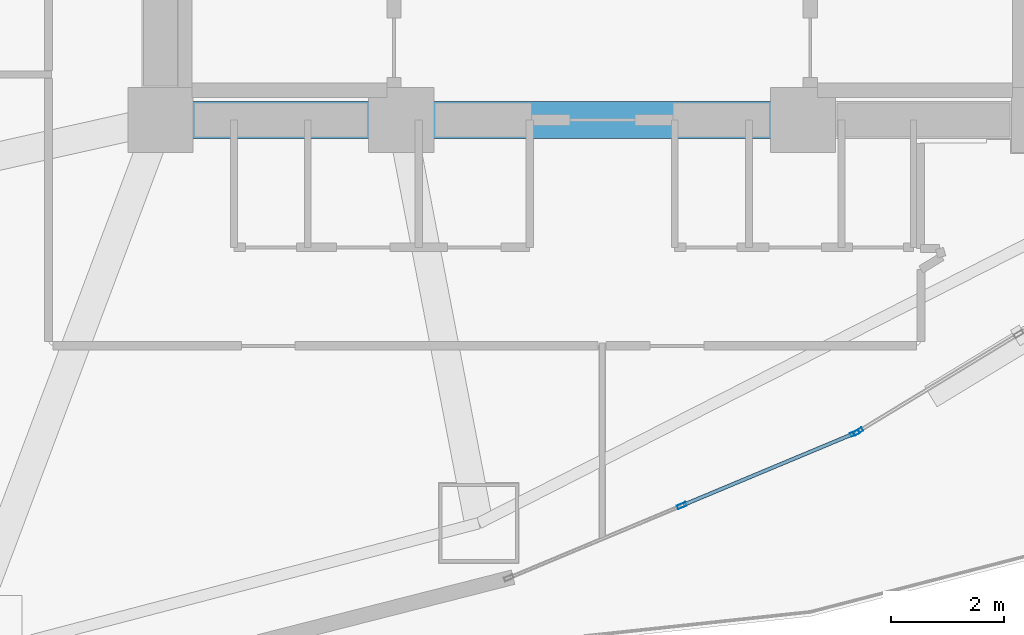
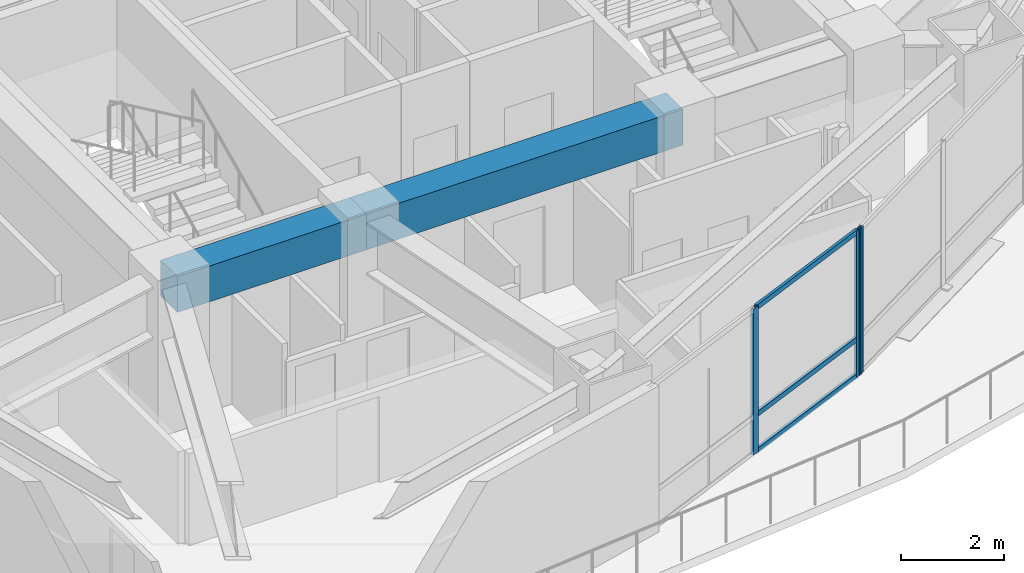
# One storey, part 4 of 19: 6 members, 2 beams, 2 elements without a shape of their own.
"""IFC4 building model written with IfcOpenShell, lengths in metres."""

from ifc_helpers import new_model, si_unit, direction, frame, origin, origin_2d, place, context, subcontext, project, spatial, rectangle, hollow_rectangle, extrude, material, layer, layer_set, material_profile, profile_set, type_object, element, aggregate, save


model = new_model("IFC4")

# Units and contexts
model_context = context("Model", 3, precision=1e-05, world=origin(), true_north=direction((0.0, 1.0)))
body_context = subcontext(model_context, "Body", "Model", "MODEL_VIEW")
ifc_project = project(units=[si_unit("LENGTHUNIT", "METRE"), si_unit("AREAUNIT", "SQUARE_METRE"), si_unit("VOLUMEUNIT", "CUBIC_METRE"), si_unit("PLANEANGLEUNIT", "RADIAN"), si_unit("MASSUNIT", "GRAM", prefix="KILO")], contexts=[model_context])

# Site, building, storey
site_placement = place(None, origin())
site = spatial("IfcSite", under=ifc_project, at=site_placement, CompositionType="ELEMENT")
building_placement = place(site_placement, origin())
building = spatial("IfcBuilding", under=site, at=building_placement, Name="Menara Vayukalpa", CompositionType="ELEMENT")
storey_placement = place(building_placement, frame((0.0, 0.0, 68.52001953125)))
storey = spatial("IfcBuildingStorey", under=building, at=storey_placement, Name="L16", CompositionType="ELEMENT", Elevation=68.52001953125)

# Beams
ifc_material_1 = material(Name="Concrete C60/75", Category="concrete")
ifc_material_profile_1 = material_profile(ifc_material_1, rectangle(XDim=0.64990234375, YDim=0.85009765625, at=origin_2d()), Name="RC 650x850")
ifc_profile_set_1 = profile_set([ifc_material_profile_1], Name="Concrete C60/75")
beam_type = type_object("IfcBeamType", Name="BM-CB1", PredefinedType="BEAM", material=ifc_profile_set_1)
beam_1_placement = place(storey_placement, frame((17.800048828125, 17.199951171875, 3.044921875), z_axis=(1.0, 0.0, 0.0), x_axis=(0.0, 1.0, 0.0)))
element("IfcBeam", 1, at=beam_1_placement, inside=storey, type_object=beam_type, Name="L16 Core Tie Beam CBR1", PredefinedType="BEAM", context=body_context, shape_type="SweptSolid", body=[
    extrude(rectangle(XDim=0.64990234375, YDim=0.85009765625, at=origin_2d()), origin(), (0.0, 0.0, 1.0), 4.25),
])
beam_2_placement = place(storey_placement, frame((22.050048828125, 17.199951171875, 3.044921875), z_axis=(1.0, 0.0, 0.0), x_axis=(0.0, 1.0, 0.0)))
element("IfcBeam", 2, at=beam_2_placement, inside=storey, type_object=beam_type, Name="L16 Core Tie Beam CBR2", PredefinedType="BEAM", context=body_context, shape_type="SweptSolid", body=[
    extrude(rectangle(XDim=0.64990234375, YDim=0.85009765625, at=origin_2d()), origin(), (0.0, 0.0, 1.0), 7.099853515625),
])

# Curtain wall, members
ifc_material_2 = material(Name="Anodised Terracotta Aluminium Alloy 6063-T6", Category="masonry")
ifc_layer = layer(ifc_material_2, 0.1650390625)
ifc_layer_set = layer_set([ifc_layer], Name="Anodised Terracotta Aluminium Alloy 6063-T6")
curtain_wall_type = type_object("IfcCurtainWallType", Name="CW-CW2", PredefinedType="USERDEFINED", material=ifc_layer_set)
curtain_wall_1_placement = place(storey_placement, origin())
curtain_wall_1 = element("IfcCurtainWall", 3, at=curtain_wall_1_placement, inside=storey, type_object=curtain_wall_type, Name="L16 Low Rise Terracotta Ribbon Curtain Wall CW2 16", ObjectType="UNITISED", PredefinedType="USERDEFINED")
ifc_material_3 = material(Name="Anodised Terracotta Aluminium Alloy 6063-T6", Category="masonry")
ifc_material_profile_2 = material_profile(ifc_material_3, hollow_rectangle(XDim=0.070068359375, YDim=0.1650390625, WallThickness=0.00390625, at=origin_2d()), Name="ALU 70x165x4")
ifc_profile_set_2 = profile_set([ifc_material_profile_2], Name="Anodised Terracotta Aluminium Alloy 6063-T6")
member_type_1 = type_object("IfcMemberType", Name="CWM-CW2", PredefinedType="MULLION", material=ifc_profile_set_2)
member_1_placement = place(storey_placement, frame((27.0068359375, 10.388916015625, 0.0), z_axis=(0.0, 0.0, 1.0), x_axis=(-0.385895120445, 0.922542658101, 0.0)))
member_1 = element("IfcMember", 4, at=member_1_placement, type_object=member_type_1, Name="CW2 mullion 2", PredefinedType="MULLION", context=body_context, shape_type="SweptSolid", body=[
    extrude(hollow_rectangle(XDim=0.070068359375, YDim=0.1650390625, WallThickness=0.00390625, at=origin_2d()), origin(), (0.0, 0.0, 1.0), 3.469970703125),
])
member_2_placement = place(storey_placement, frame((30.062744140625, 11.6669921875, 0.0), z_axis=(0.0, 0.0, 1.0), x_axis=(-0.385895120445, 0.922542658101, 0.0)))
member_2 = element("IfcMember", 5, at=member_2_placement, type_object=member_type_1, Name="CW2 mullion 3", PredefinedType="MULLION", context=body_context, shape_type="SweptSolid", body=[
    extrude(hollow_rectangle(XDim=0.070068359375, YDim=0.1650390625, WallThickness=0.00390625, at=origin_2d()), origin(), (0.0, 0.0, 1.0), 3.469970703125),
])

# Curtain wall, member
curtain_wall_2_placement = place(storey_placement, origin())
curtain_wall_2 = element("IfcCurtainWall", 6, at=curtain_wall_2_placement, inside=storey, type_object=curtain_wall_type, Name="L16 Low Rise Terracotta Ribbon Curtain Wall CW2 17", ObjectType="UNITISED", PredefinedType="USERDEFINED")
member_3_placement = place(storey_placement, frame((30.125, 11.69873046875, 0.0), z_axis=(0.0, 0.0, 1.0), x_axis=(-0.519181964377, 0.854663727945, 0.0)))
member_3 = element("IfcMember", 7, at=member_3_placement, type_object=member_type_1, Name="CW2 mullion 1", PredefinedType="MULLION", context=body_context, shape_type="SweptSolid", body=[
    extrude(hollow_rectangle(XDim=0.070068359375, YDim=0.1650390625, WallThickness=0.00390625, at=origin_2d()), origin(), (0.0, 0.0, 1.0), 3.469970703125),
])
aggregate(curtain_wall_2, [member_3])

# Member
ifc_material_4 = material(Name="Anodised Terracotta Aluminium Alloy 6063-T6", Category="masonry")
ifc_material_profile_3 = material_profile(ifc_material_4, hollow_rectangle(XDim=0.06494140625, YDim=0.1201171875, WallThickness=0.00341796875, at=origin_2d()), Name="ALU 65x120x3.5")
ifc_profile_set_3 = profile_set([ifc_material_profile_3], Name="Anodised Terracotta Aluminium Alloy 6063-T6")
member_type_2 = type_object("IfcMemberType", Name="CWT-CW2", PredefinedType="USERDEFINED", material=ifc_profile_set_3)
member_4_placement = place(storey_placement, frame((27.0390625, 10.40234375, 0.032470703125), z_axis=(0.922552588381, 0.385871379699, 0.0), x_axis=(-0.385871379699, 0.922552588381, 0.0)))
member_4 = element("IfcMember", 8, at=member_4_placement, type_object=member_type_2, Name="CW2 transom 2.1", ObjectType="TRANSOM", PredefinedType="USERDEFINED", context=body_context, shape_type="SweptSolid", body=[
    extrude(hollow_rectangle(XDim=0.06494140625, YDim=0.1201171875, WallThickness=0.00341796875, at=origin_2d()), origin(), (0.0, 0.0, 1.0), 3.24267578125),
])

member_5_placement = place(storey_placement, frame((27.0390625, 10.40234375, 0.89990234375), z_axis=(0.922552588381, 0.385871379699, 0.0), x_axis=(-0.385871379699, 0.922552588381, 0.0)))
member_5 = element("IfcMember", 9, at=member_5_placement, type_object=member_type_2, Name="CW2 transom 2.2", ObjectType="TRANSOM", PredefinedType="USERDEFINED", context=body_context, shape_type="SweptSolid", body=[
    extrude(hollow_rectangle(XDim=0.06494140625, YDim=0.1201171875, WallThickness=0.00341796875, at=origin_2d()), origin(), (0.0, 0.0, 1.0), 3.24267578125),
])

member_6_placement = place(storey_placement, frame((27.0390625, 10.40234375, 3.4375), z_axis=(0.922552588381, 0.385871379699, 0.0), x_axis=(-0.385871379699, 0.922552588381, 0.0)))
member_6 = element("IfcMember", 10, at=member_6_placement, type_object=member_type_2, Name="CW2 transom 2.3", ObjectType="TRANSOM", PredefinedType="USERDEFINED", context=body_context, shape_type="SweptSolid", body=[
    extrude(hollow_rectangle(XDim=0.06494140625, YDim=0.1201171875, WallThickness=0.00341796875, at=origin_2d()), origin(), (0.0, 0.0, 1.0), 3.24267578125),
])

aggregate(curtain_wall_1, [member_1, member_2, member_4, member_5, member_6])

save(model, "model.ifc")
